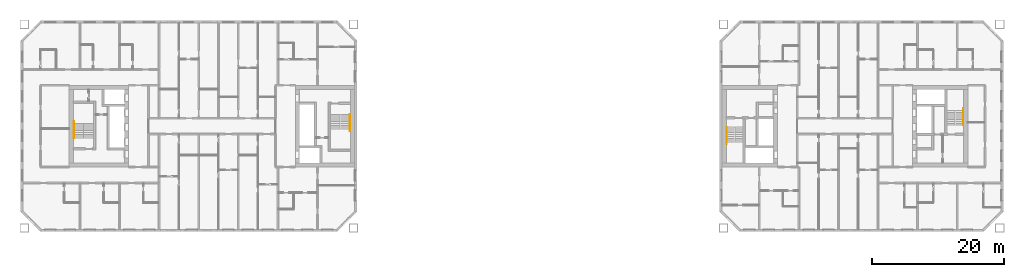
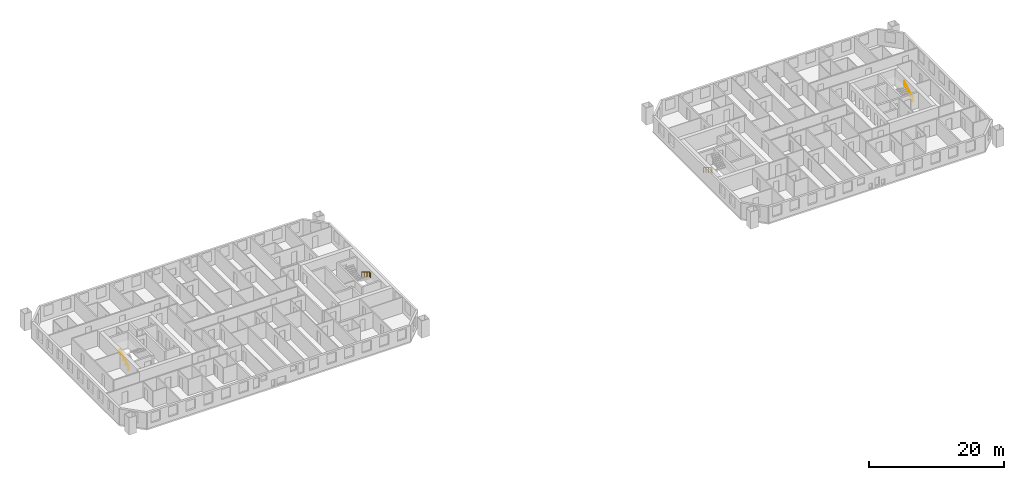
# One storey, part 16 of 16: 4 railings.
"""IFC4 building model written with IfcOpenShell, lengths in metres."""

import ifcopenshell
import ifcopenshell.guid

model = None  # the IFC model being written
_history = None  # IfcOwnerHistory: only IFC2X3 demands one
_inside = {}  # id of a spatial element -> (the spatial element, [elements in it])
_under = {}  # id of a project, library or spatial element -> (it, [spatial elements below it])
_declared = {}  # id of a project -> (the project, [libraries it declares])
_typed = {}  # id of a type object -> (the type object, [elements of that type])
_made_of = {}  # id of a material, layer set ... -> (it, [elements and type objects made of it])


def new_model(schema):
    """Start an empty IFC model of exactly this schema.

    Asked for "IFC4X3", IfcOpenShell would pick the latest addendum, in which some entities
    have other attributes; the version numbers below select the first issue.
    IFC2X3 requires an IfcOwnerHistory on every rooted entity: one is made here for all.
    """
    global model, _history
    if schema == "IFC4X3":
        model = ifcopenshell.file(schema_version=(4, 3, 0, 0))
    else:
        model = ifcopenshell.file(schema=schema)
    _inside.clear()
    _under.clear()
    _declared.clear()
    _typed.clear()
    _made_of.clear()
    _history = None
    if model.schema == "IFC2X3":
        org = make("IfcOrganization", Name="unknown")
        user = make(
            "IfcPersonAndOrganization",
            ThePerson=make("IfcPerson", FamilyName="unknown"),
            TheOrganization=org,
        )
        app = make(
            "IfcApplication",
            ApplicationDeveloper=org,
            Version="unknown",
            ApplicationFullName="unknown",
            ApplicationIdentifier="unknown",
        )
        _history = make(
            "IfcOwnerHistory",
            OwningUser=user,
            OwningApplication=app,
            ChangeAction="ADDED",
            CreationDate=0,
        )
    return model


def make(cls, **values):
    """One entity of the class cls with the attributes given. An attribute that is None is left unset."""
    return model.create_entity(
        cls, **{name: value for name, value in values.items() if value is not None}
    )


def rooted(cls, **values):
    """An entity with a GlobalId (a new one), such as an element, a storey or a relation."""
    return make(cls, GlobalId=ifcopenshell.guid.new(), OwnerHistory=_history, **values)


def si_unit(unit_type, name, prefix=None):
    """IfcSIUnit, for example si_unit("LENGTHUNIT", "METRE", prefix="MILLI")."""
    return make("IfcSIUnit", UnitType=unit_type, Prefix=prefix, Name=name)


def assignment(units):
    """IfcUnitAssignment: the units of a project."""
    return None if units is None else make("IfcUnitAssignment", Units=units)


def point(xyz):
    """IfcCartesianPoint."""
    return None if xyz is None else make("IfcCartesianPoint", Coordinates=xyz)


def direction(xyz):
    """IfcDirection."""
    return None if xyz is None else make("IfcDirection", DirectionRatios=xyz)


def frame(location, z_axis=None, x_axis=None):
    """IfcAxis2Placement3D, a coordinate frame: its origin and axes. An axis left out is left unset."""
    return make(
        "IfcAxis2Placement3D",
        Location=point(location),
        Axis=direction(z_axis),
        RefDirection=direction(x_axis),
    )


def frame_2d(location, x_axis=None):
    """IfcAxis2Placement2D, a coordinate frame in the plane: its origin and x axis."""
    return make(
        "IfcAxis2Placement2D", Location=point(location), RefDirection=direction(x_axis)
    )


def origin():
    """The frame at (0, 0, 0) with its axes left unset."""
    return frame((0.0, 0.0, 0.0))


def origin_2d():
    """The frame at (0, 0) in the plane with its x axis left unset."""
    return frame_2d((0.0, 0.0))


def place(relative_to, where):
    """IfcLocalPlacement: puts the frame where relative to a parent placement (None: the world)."""
    return make(
        "IfcLocalPlacement", PlacementRelTo=relative_to, RelativePlacement=where
    )


def context(
    kind, dimensions, precision=None, world=None, true_north=None, identifier=None
):
    """IfcGeometricRepresentationContext, for example the 3D "Model" context."""
    return make(
        "IfcGeometricRepresentationContext",
        ContextIdentifier=identifier,
        ContextType=kind,
        CoordinateSpaceDimension=dimensions,
        Precision=precision,
        WorldCoordinateSystem=world,
        TrueNorth=true_north,
    )


def subcontext(parent, identifier, kind, view, scale=None):
    """IfcGeometricRepresentationSubContext, for example "Body" below "Model"."""
    return make(
        "IfcGeometricRepresentationSubContext",
        ContextIdentifier=identifier,
        ContextType=kind,
        ParentContext=parent,
        TargetScale=scale,
        TargetView=view,
    )


def project(units=None, contexts=None):
    """IfcProject with its units and contexts."""
    return rooted(
        "IfcProject",
        Name="project",
        RepresentationContexts=contexts,
        UnitsInContext=assignment(units),
    )


def spatial(cls, under=None, at=None, **own):
    """A site, building, storey or space (cls), placed at a placement, below another one or the project."""
    s = rooted(cls, ObjectPlacement=at, **own)
    if under is not None:
        _under.setdefault(under.id(), (under, []))[1].append(s)
    return s


def profile(cls, at=None, kind="AREA", **sizes):
    """A parametric profile (cls). Its sizes go by their IFC names, for example OverallWidth=200.0."""
    return make(cls, ProfileType=kind, Position=at, **sizes)


def circle(**sizes):
    """IfcCircleProfileDef."""
    return profile("IfcCircleProfileDef", **sizes)


def extrude(swept, where, along, depth):
    """IfcExtrudedAreaSolid: the profile swept, set in the frame where, extruded along a direction by depth."""
    return make(
        "IfcExtrudedAreaSolid",
        SweptArea=swept,
        Position=where,
        ExtrudedDirection=direction(along),
        Depth=depth,
    )


def shape(context_of_items, identifier, shape_type, items):
    """IfcShapeRepresentation: the items that make up one representation, for example the "Body"."""
    return make(
        "IfcShapeRepresentation",
        ContextOfItems=context_of_items,
        RepresentationIdentifier=identifier,
        RepresentationType=shape_type,
        Items=items,
    )


def material(Name=None, Category=None):
    """IfcMaterial."""
    return make("IfcMaterial", Name=Name, Category=Category)


def made_of(thing, what):
    """Note that an element or type object is made of a material, layer set ...; save() writes the relation."""
    if what is not None:
        _made_of.setdefault(what.id(), (what, []))[1].append(thing)
    return thing


def type_object(cls, material=None, **own):
    """A type object (cls), such as IfcWallType, which elements share."""
    return made_of(rooted(cls, **own), material)


def element(
    cls,
    number,
    at=None,
    inside=None,
    cuts=None,
    type_object=None,
    material=None,
    context=None,
    identifier="Body",
    shape_type=None,
    held_by="IfcProductDefinitionShape",
    body=None,
    shapes=None,
    **own,
):
    """One element of the class cls, such as IfcWall. Its Tag is "e" and its number.

    at: its placement. inside: the storey or other place that contains it. cuts: it is an
    opening in that element (IfcRelVoidsElement). A single representation is given by context,
    identifier, shape_type and body (its items); several are given by shapes. held_by: the class
    of the entity that holds the representations. save() writes the other relations.
    """
    e = rooted(cls, Tag="e%d" % number, ObjectPlacement=at, **own)
    if body is not None:
        shapes = [shape(context, identifier, shape_type, body)]
    if shapes is not None:
        e.Representation = make(held_by, Representations=shapes)
    if inside is not None:
        _inside.setdefault(inside.id(), (inside, []))[1].append(e)
    if cuts is not None:
        rooted(
            "IfcRelVoidsElement", RelatingBuildingElement=cuts, RelatedOpeningElement=e
        )
    if type_object is not None:
        _typed.setdefault(type_object.id(), (type_object, []))[1].append(e)
    return made_of(e, material)


def aggregate(whole, parts):
    """IfcRelAggregates: a whole, such as a stair, and the parts it consists of."""
    return rooted("IfcRelAggregates", RelatingObject=whole, RelatedObjects=parts)


def save(model, path):
    """Write the relations noted so far, then the file.

    IfcRelAggregates (storeys below a building ...), IfcRelContainedInSpatialStructure (elements
    in a storey), IfcRelDefinesByType, IfcRelAssociatesMaterial and IfcRelDeclares: one each for
    every whole, place, type object, material and project.
    """
    for whole, parts in _under.values():
        aggregate(whole, parts)
    for where, things in _inside.values():
        rooted(
            "IfcRelContainedInSpatialStructure",
            RelatedElements=things,
            RelatingStructure=where,
        )
    for kind, things in _typed.values():
        rooted("IfcRelDefinesByType", RelatedObjects=things, RelatingType=kind)
    for what, things in _made_of.values():
        rooted("IfcRelAssociatesMaterial", RelatedObjects=things, RelatingMaterial=what)
    for by, libraries in _declared.values():
        rooted("IfcRelDeclares", RelatingContext=by, RelatedDefinitions=libraries)
    model.write(path)


model = new_model("IFC4")

# Units and contexts
model_context = context("Model", 3, precision=1e-05, world=origin(), true_north=direction((0.0, 1.0)))
body_context = subcontext(model_context, "Body", "Model", "MODEL_VIEW")
ifc_project = project(units=[si_unit("LENGTHUNIT", "METRE"), si_unit("AREAUNIT", "SQUARE_METRE"), si_unit("VOLUMEUNIT", "CUBIC_METRE"), si_unit("PLANEANGLEUNIT", "RADIAN"), si_unit("MASSUNIT", "GRAM", prefix="KILO")], contexts=[model_context])

# Site, building, storey
site_placement = place(None, origin())
site = spatial("IfcSite", under=ifc_project, at=site_placement, CompositionType="ELEMENT")
building_placement = place(site_placement, origin())
building = spatial("IfcBuilding", under=site, at=building_placement, Name="Tuart Gate Housing", CompositionType="ELEMENT")
storey_placement = place(building_placement, frame((0.0, 0.0, 111.89990234375)))
storey = spatial("IfcBuildingStorey", under=building, at=storey_placement, Name="L31", CompositionType="ELEMENT", Elevation=111.89990234375)

# Railings
ifc_material = material(Name="Stainless steel", Category="steel")
railing_type = type_object("IfcRailingType", Name="Stair handrail 900", PredefinedType="HANDRAIL", material=ifc_material)
railing_1_placement = place(storey_placement, frame((74.929931640625, 71.800048828125, 0.17236328125)))
element("IfcRailing", 1, at=railing_1_placement, inside=storey, type_object=railing_type, Name="Stair handrail SA1.1", PredefinedType="HANDRAIL", context=body_context, shape_type="SweptSolid", body=[
    extrude(circle(Radius=0.02392578125, at=origin_2d()), frame((0.0, 0.0, 0.8759765625), z_axis=(0.0, -0.85178898068, 0.523885037382), x_axis=(1.0, 0.0, 0.0)), (0.0, 0.0, 1.0), 2.629638671875),
    extrude(circle(Radius=0.02392578125, at=origin_2d()), frame((0.0, -2.239990234375, 2.25341796875), z_axis=(0.0, -1.0, 0.0), x_axis=(1.0, 0.0, 0.0)), (0.0, 0.0, 1.0), 0.300048828125),
    extrude(circle(Radius=0.02099609375, at=origin_2d()), origin(), (0.0, 0.0, 1.0), 0.851806640625),
    extrude(circle(Radius=0.02099609375, at=origin_2d()), frame((0.0, -0.74658203125, 0.459228515625)), (0.0, 0.0, 1.0), 0.851806640625),
    extrude(circle(Radius=0.02099609375, at=origin_2d()), frame((0.0, -1.493408203125, 0.91845703125)), (0.0, 0.0, 1.0), 0.851806640625),
    extrude(circle(Radius=0.02099609375, at=origin_2d()), frame((0.0, -2.239990234375, 1.377685546875)), (0.0, 0.0, 1.0), 0.851806640625),
    extrude(circle(Radius=0.02099609375, at=origin_2d()), frame((0.0, -2.5400390625, 1.377685546875)), (0.0, 0.0, 1.0), 0.851806640625),
])
railing_2_placement = place(storey_placement, frame((33.070068359375, 68.199951171875, 0.17236328125)))
element("IfcRailing", 2, at=railing_2_placement, inside=storey, type_object=railing_type, Name="Stair handrail SA2.1", PredefinedType="HANDRAIL", context=body_context, shape_type="SweptSolid", body=[
    extrude(circle(Radius=0.02392578125, at=origin_2d()), frame((0.0, 0.0, 0.8759765625), z_axis=(0.0, 0.85178898068, 0.523885037382), x_axis=(-1.0, 0.0, 0.0)), (0.0, 0.0, 1.0), 2.629638671875),
    extrude(circle(Radius=0.02392578125, at=origin_2d()), frame((0.0, 2.239990234375, 2.25341796875), z_axis=(0.0, 1.0, 0.0), x_axis=(-1.0, 0.0, 0.0)), (0.0, 0.0, 1.0), 0.300048828125),
    extrude(circle(Radius=0.02099609375, at=origin_2d()), origin(), (0.0, 0.0, 1.0), 0.851806640625),
    extrude(circle(Radius=0.02099609375, at=origin_2d()), frame((0.0, 0.74658203125, 0.459228515625)), (0.0, 0.0, 1.0), 0.851806640625),
    extrude(circle(Radius=0.02099609375, at=origin_2d()), frame((0.0, 1.493408203125, 0.91845703125)), (0.0, 0.0, 1.0), 0.851806640625),
    extrude(circle(Radius=0.02099609375, at=origin_2d()), frame((0.0, 2.239990234375, 1.377685546875)), (0.0, 0.0, 1.0), 0.851806640625),
    extrude(circle(Radius=0.02099609375, at=origin_2d()), frame((0.0, 2.5400390625, 1.377685546875)), (0.0, 0.0, 1.0), 0.851806640625),
])
railing_3_placement = place(storey_placement, frame((132.070068359375, 69.85009765625, 0.17236328125)))
element("IfcRailing", 3, at=railing_3_placement, inside=storey, type_object=railing_type, Name="Stair handrail SB1.1", PredefinedType="HANDRAIL", context=body_context, shape_type="SweptSolid", body=[
    extrude(circle(Radius=0.02392578125, at=origin_2d()), frame((0.0, 0.0, 0.8759765625), z_axis=(0.0, -0.85178898068, 0.523885037382), x_axis=(1.0, 0.0, 0.0)), (0.0, 0.0, 1.0), 2.629638671875),
    extrude(circle(Radius=0.02392578125, at=origin_2d()), frame((0.0, -2.239990234375, 2.25341796875), z_axis=(0.0, -1.0, 0.0), x_axis=(1.0, 0.0, 0.0)), (0.0, 0.0, 1.0), 0.300048828125),
    extrude(circle(Radius=0.02099609375, at=origin_2d()), origin(), (0.0, 0.0, 1.0), 0.851806640625),
    extrude(circle(Radius=0.02099609375, at=origin_2d()), frame((0.0, -0.74658203125, 0.459228515625)), (0.0, 0.0, 1.0), 0.851806640625),
    extrude(circle(Radius=0.02099609375, at=origin_2d()), frame((0.0, -1.493408203125, 0.91845703125)), (0.0, 0.0, 1.0), 0.851806640625),
    extrude(circle(Radius=0.02099609375, at=origin_2d()), frame((0.0, -2.239990234375, 1.377685546875)), (0.0, 0.0, 1.0), 0.851806640625),
    extrude(circle(Radius=0.02099609375, at=origin_2d()), frame((0.0, -2.5400390625, 1.377685546875)), (0.0, 0.0, 1.0), 0.851806640625),
])
railing_4_placement = place(storey_placement, frame((167.929931640625, 70.14990234375, 0.17236328125)))
element("IfcRailing", 4, at=railing_4_placement, inside=storey, type_object=railing_type, Name="Stair handrail SB2.1", PredefinedType="HANDRAIL", context=body_context, shape_type="SweptSolid", body=[
    extrude(circle(Radius=0.02392578125, at=origin_2d()), frame((0.0, 0.0, 0.8759765625), z_axis=(0.0, 0.85178898068, 0.523885037382), x_axis=(-1.0, 0.0, 0.0)), (0.0, 0.0, 1.0), 2.629638671875),
    extrude(circle(Radius=0.02392578125, at=origin_2d()), frame((0.0, 2.239990234375, 2.25341796875), z_axis=(0.0, 1.0, 0.0), x_axis=(-1.0, 0.0, 0.0)), (0.0, 0.0, 1.0), 0.300048828125),
    extrude(circle(Radius=0.02099609375, at=origin_2d()), origin(), (0.0, 0.0, 1.0), 0.851806640625),
    extrude(circle(Radius=0.02099609375, at=origin_2d()), frame((0.0, 0.74658203125, 0.459228515625)), (0.0, 0.0, 1.0), 0.851806640625),
    extrude(circle(Radius=0.02099609375, at=origin_2d()), frame((0.0, 1.493408203125, 0.91845703125)), (0.0, 0.0, 1.0), 0.851806640625),
    extrude(circle(Radius=0.02099609375, at=origin_2d()), frame((0.0, 2.239990234375, 1.377685546875)), (0.0, 0.0, 1.0), 0.851806640625),
    extrude(circle(Radius=0.02099609375, at=origin_2d()), frame((0.0, 2.5400390625, 1.377685546875)), (0.0, 0.0, 1.0), 0.851806640625),
])

save(model, "model.ifc")
